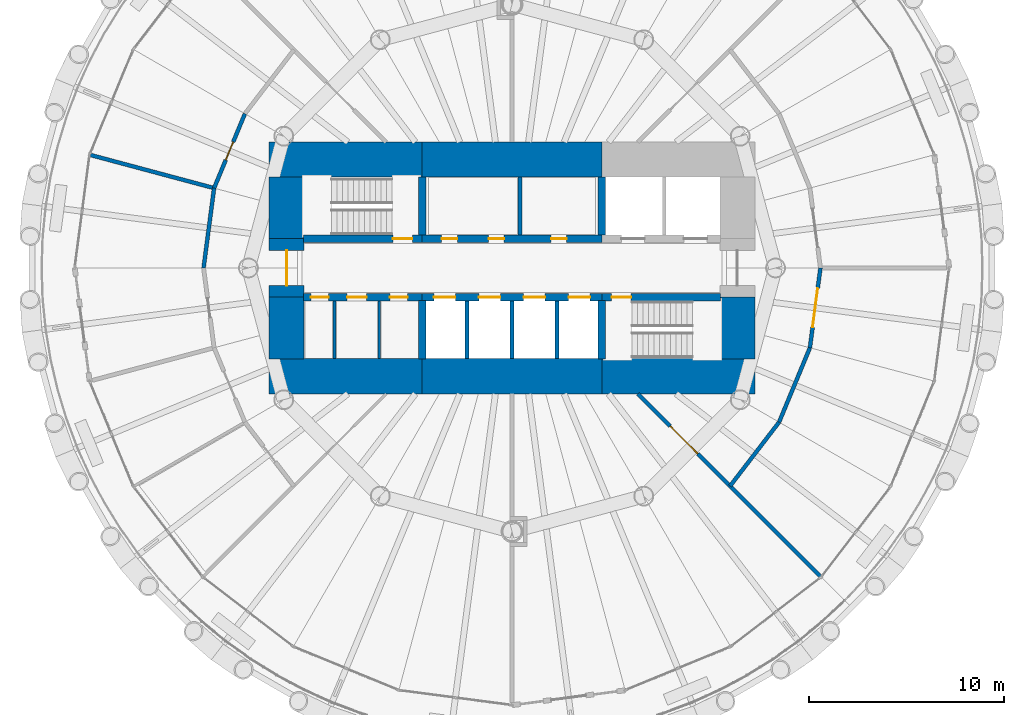
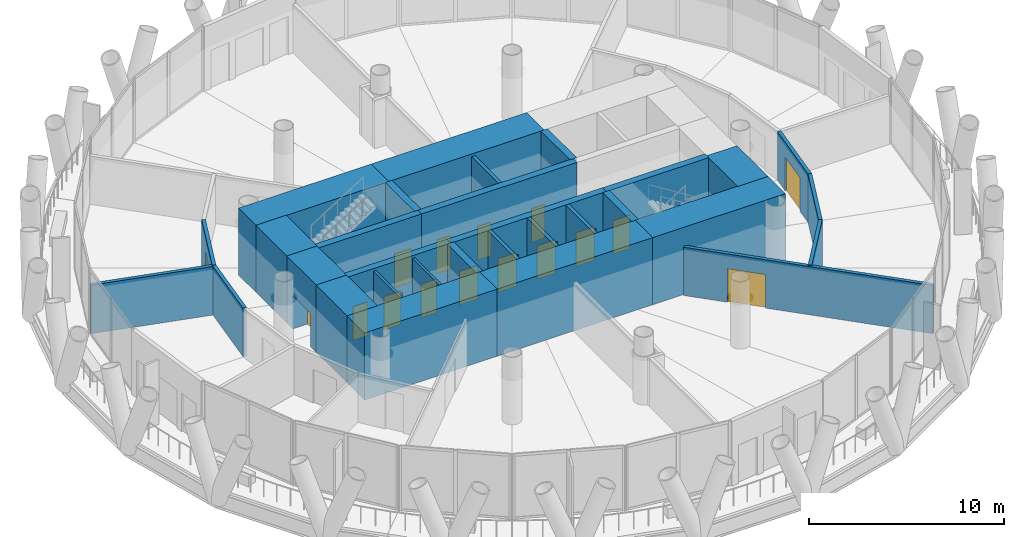
# One storey, part 9 of 14: 31 walls, 16 doors, 16 openings.
"""IFC4 building model written with IfcOpenShell, lengths in metres."""

from ifc_helpers import new_model, si_unit, direction, frame, frame_2d, origin, place, context, subcontext, project, spatial, rectangle, extrude, material, layer, layer_set, type_object, element, fill, save


model = new_model("IFC4")

# Units and contexts
model_context = context("Model", 3, precision=1e-05, world=origin(), true_north=direction((0.0, 1.0)))
body_context = subcontext(model_context, "Body", "Model", "MODEL_VIEW")
ifc_project = project(units=[si_unit("LENGTHUNIT", "METRE"), si_unit("AREAUNIT", "SQUARE_METRE"), si_unit("VOLUMEUNIT", "CUBIC_METRE"), si_unit("PLANEANGLEUNIT", "RADIAN"), si_unit("MASSUNIT", "GRAM", prefix="KILO")], contexts=[model_context])

# Site, building, storey
site_placement = place(None, origin())
site = spatial("IfcSite", under=ifc_project, at=site_placement, CompositionType="ELEMENT")
building_placement = place(site_placement, origin())
building = spatial("IfcBuilding", under=site, at=building_placement, Name="Qaws Media Tower", CompositionType="ELEMENT")
storey_placement = place(building_placement, frame((0.0, 0.0, 152.0)))
storey = spatial("IfcBuildingStorey", under=building, at=storey_placement, Name="L34", CompositionType="ELEMENT", Elevation=152.0)

# Wall, opening, door
ifc_material_1 = material(Name="Concrete C60/75", Category="concrete")
ifc_layer_1 = layer(ifc_material_1, 0.39990234375)
ifc_layer_set_1 = layer_set([ifc_layer_1], Name="Core inner wall 400")
wall_type_1 = type_object("IfcWallType", Name="Core inner wall 400", PredefinedType="SHEAR", material=ifc_layer_set_1)
wall_1_placement = place(storey_placement, frame((49.330078125, 51.5, 0.0), z_axis=(0.0, 0.0, 1.0), x_axis=(1.0, 0.0, 0.0)))
wall_1 = element("IfcWall", 1, at=wall_1_placement, inside=storey, type_object=wall_type_1, Name="W321 SW4 core wall SPNW L34", PredefinedType="SHEAR", context=body_context, shape_type="SweptSolid", body=[
    extrude(rectangle(XDim=6.06982421875, YDim=0.39990234375, at=frame_2d((3.034912109375, 0.0))), origin(), (0.0, 0.0, 1.0), 4.199951171875),
])
opening_1_placement = place(wall_1_placement, frame((4.570068359375, 0.0, 0.0)))
opening_1 = element("IfcOpeningElement", 2, at=opening_1_placement, cuts=wall_1, Name="Opening D1", PredefinedType="OPENING", context=body_context, shape_type="SweptSolid", body=[
    extrude(rectangle(XDim=1.0, YDim=2.10009765625, at=frame_2d((0.5, 1.050048828125))), frame((0.0, 0.2099609375, 0.0), z_axis=(0.0, -1.0, 0.0), x_axis=(1.0, 0.0, 0.0)), (0.0, 0.0, 1.0), 0.419921875),
])
ifc_material_2 = material(Name="Steel, fire rated", Category="steel")
door_type_1 = type_object("IfcDoorType", Name="Stair door 1000 FD120", OperationType="SINGLE_SWING_LEFT", PredefinedType="DOOR", material=ifc_material_2)
door_1_placement = place(opening_1_placement, origin())
door_1 = element("IfcDoor", 3, at=door_1_placement, inside=storey, type_object=door_type_1, Name="D1 stair S1 door L34 in wall W321", OperationType="SINGLE_SWING_LEFT", OverallHeight=2.10009765625, OverallWidth=1.0, PredefinedType="DOOR", context=body_context, shape_type="SweptSolid", body=[
    extrude(rectangle(XDim=1.0, YDim=2.10009765625, at=frame_2d((0.5, 1.050048828125))), frame((0.0, 0.02490234375, 0.0), z_axis=(0.0, -1.0, 0.0), x_axis=(1.0, 0.0, 0.0)), (0.0, 0.0, 1.0), 0.050048828125),
])
fill(opening_1, door_1)

# Wall, openings, doors
wall_2_placement = place(storey_placement, frame((55.39990234375, 51.5, 0.0), z_axis=(0.0, 0.0, 1.0), x_axis=(1.0, 0.0, 0.0)))
wall_2 = element("IfcWall", 4, at=wall_2_placement, inside=storey, type_object=wall_type_1, Name="W314 SW4 core wall SPN L34", PredefinedType="SHEAR", context=body_context, shape_type="SweptSolid", body=[
    extrude(rectangle(XDim=9.2001953125, YDim=0.39990234375, at=frame_2d((4.60009765625, 0.0))), origin(), (0.0, 0.0, 1.0), 4.199951171875),
])
opening_2_placement = place(wall_2_placement, frame((1.0, 0.0, 0.0)))
opening_2 = element("IfcOpeningElement", 5, at=opening_2_placement, cuts=wall_2, Name="Opening D23", PredefinedType="OPENING", context=body_context, shape_type="SweptSolid", body=[
    extrude(rectangle(XDim=0.800048828125, YDim=2.10009765625, at=frame_2d((0.39990234375, 1.050048828125))), frame((0.0, 0.2099609375, 0.0), z_axis=(0.0, -1.0, 0.0), x_axis=(1.0, 0.0, 0.0)), (0.0, 0.0, 1.0), 0.419921875),
])
opening_3_placement = place(wall_2_placement, frame((3.39990234375, 0.0, 0.0)))
opening_3 = element("IfcOpeningElement", 6, at=opening_3_placement, cuts=wall_2, Name="Opening D23", PredefinedType="OPENING", context=body_context, shape_type="SweptSolid", body=[
    extrude(rectangle(XDim=0.800048828125, YDim=2.10009765625, at=frame_2d((0.39990234375, 1.050048828125))), frame((0.0, 0.2099609375, 0.0), z_axis=(0.0, -1.0, 0.0), x_axis=(1.0, 0.0, 0.0)), (0.0, 0.0, 1.0), 0.419921875),
])
opening_4_placement = place(wall_2_placement, frame((6.60009765625, 0.0, 0.0)))
opening_4 = element("IfcOpeningElement", 7, at=opening_4_placement, cuts=wall_2, Name="Opening D23", PredefinedType="OPENING", context=body_context, shape_type="SweptSolid", body=[
    extrude(rectangle(XDim=0.800048828125, YDim=2.10009765625, at=frame_2d((0.39990234375, 1.050048828125))), frame((0.0, 0.2099609375, 0.0), z_axis=(0.0, -1.0, 0.0), x_axis=(1.0, 0.0, 0.0)), (0.0, 0.0, 1.0), 0.419921875),
])
ifc_material_3 = material(Name="Steel, fire rated", Category="steel")
door_type_2 = type_object("IfcDoorType", Name="Core room door 800x2100", OperationType="SINGLE_SWING_LEFT", PredefinedType="DOOR", material=ifc_material_3)
door_2_placement = place(opening_2_placement, origin())
door_2 = element("IfcDoor", 8, at=door_2_placement, inside=storey, type_object=door_type_2, Name="D23 Ladies toilets door L34 1 in wall W314", OperationType="SINGLE_SWING_LEFT", OverallHeight=2.10009765625, OverallWidth=0.800048828125, PredefinedType="DOOR", context=body_context, shape_type="SweptSolid", body=[
    extrude(rectangle(XDim=0.800048828125, YDim=2.10009765625, at=frame_2d((0.39990234375, 1.050048828125))), frame((0.0, 0.02490234375, 0.0), z_axis=(0.0, -1.0, 0.0), x_axis=(1.0, 0.0, 0.0)), (0.0, 0.0, 1.0), 0.050048828125),
])
fill(opening_2, door_2)
door_3_placement = place(opening_3_placement, origin())
door_3 = element("IfcDoor", 9, at=door_3_placement, inside=storey, type_object=door_type_2, Name="D23 Ladies toilets door L34 2 in wall W314", OperationType="SINGLE_SWING_LEFT", OverallHeight=2.10009765625, OverallWidth=0.800048828125, PredefinedType="DOOR", context=body_context, shape_type="SweptSolid", body=[
    extrude(rectangle(XDim=0.800048828125, YDim=2.10009765625, at=frame_2d((0.39990234375, 1.050048828125))), frame((0.0, 0.02490234375, 0.0), z_axis=(0.0, -1.0, 0.0), x_axis=(1.0, 0.0, 0.0)), (0.0, 0.0, 1.0), 0.050048828125),
])
fill(opening_3, door_3)
door_4_placement = place(opening_4_placement, origin())
door_4 = element("IfcDoor", 10, at=door_4_placement, inside=storey, type_object=door_type_2, Name="D23 Gents toilets door L34 in wall W314", OperationType="SINGLE_SWING_LEFT", OverallHeight=2.10009765625, OverallWidth=0.800048828125, PredefinedType="DOOR", context=body_context, shape_type="SweptSolid", body=[
    extrude(rectangle(XDim=0.800048828125, YDim=2.10009765625, at=frame_2d((0.39990234375, 1.050048828125))), frame((0.0, 0.02490234375, 0.0), z_axis=(0.0, -1.0, 0.0), x_axis=(1.0, 0.0, 0.0)), (0.0, 0.0, 1.0), 0.050048828125),
])
fill(opening_4, door_4)

wall_3_placement = place(storey_placement, frame((49.330078125, 48.5, 0.0), z_axis=(0.0, 0.0, 1.0), x_axis=(1.0, 0.0, 0.0)))
wall_3 = element("IfcWall", 11, at=wall_3_placement, inside=storey, type_object=wall_type_1, Name="W320 SW4 core wall SPSW L34", PredefinedType="SHEAR", context=body_context, shape_type="SweptSolid", body=[
    extrude(rectangle(XDim=6.06982421875, YDim=0.39990234375, at=frame_2d((3.034912109375, 0.0))), origin(), (0.0, 0.0, 1.0), 4.199951171875),
])
opening_5_placement = place(wall_3_placement, frame((0.3701171875, 0.0, 0.0)))
opening_5 = element("IfcOpeningElement", 12, at=opening_5_placement, cuts=wall_3, Name="Opening D25", PredefinedType="OPENING", context=body_context, shape_type="SweptSolid", body=[
    extrude(rectangle(XDim=0.89990234375, YDim=2.10009765625, at=frame_2d((0.449951171875, 1.050048828125))), frame((0.0, 0.2099609375, 0.0), z_axis=(0.0, -1.0, 0.0), x_axis=(1.0, 0.0, 0.0)), (0.0, 0.0, 1.0), 0.419921875),
])
opening_6_placement = place(wall_3_placement, frame((2.219970703125, 0.0, 0.0)))
opening_6 = element("IfcOpeningElement", 13, at=opening_6_placement, cuts=wall_3, Name="Opening D4", PredefinedType="OPENING", context=body_context, shape_type="SweptSolid", body=[
    extrude(rectangle(XDim=1.0, YDim=2.10009765625, at=frame_2d((0.5, 1.050048828125))), frame((0.0, 0.2099609375, 0.0), z_axis=(0.0, -1.0, 0.0), x_axis=(1.0, 0.0, 0.0)), (0.0, 0.0, 1.0), 0.419921875),
])
opening_7_placement = place(wall_3_placement, frame((4.419921875, 0.0, 0.0)))
opening_7 = element("IfcOpeningElement", 14, at=opening_7_placement, cuts=wall_3, Name="Opening D25", PredefinedType="OPENING", context=body_context, shape_type="SweptSolid", body=[
    extrude(rectangle(XDim=0.89990234375, YDim=2.10009765625, at=frame_2d((0.449951171875, 1.050048828125))), frame((0.0, 0.2099609375, 0.0), z_axis=(0.0, -1.0, 0.0), x_axis=(1.0, 0.0, 0.0)), (0.0, 0.0, 1.0), 0.419921875),
])
ifc_material_4 = material(Name="Timber veneered", Category="wood")
door_type_3 = type_object("IfcDoorType", Name="Accessible WC door 1000", OperationType="SLIDING_TO_LEFT", PredefinedType="DOOR", material=ifc_material_4)
door_5_placement = place(opening_6_placement, origin())
door_5 = element("IfcDoor", 15, at=door_5_placement, inside=storey, type_object=door_type_3, Name="D4 toilet door 2 L34 in wall W320", OperationType="SLIDING_TO_LEFT", OverallHeight=2.10009765625, OverallWidth=1.0, PredefinedType="DOOR", context=body_context, shape_type="SweptSolid", body=[
    extrude(rectangle(XDim=1.0, YDim=2.10009765625, at=frame_2d((0.5, 1.050048828125))), frame((0.0, 0.02490234375, 0.0), z_axis=(0.0, -1.0, 0.0), x_axis=(1.0, 0.0, 0.0)), (0.0, 0.0, 1.0), 0.050048828125),
])
fill(opening_6, door_5)
ifc_material_5 = material(Name="Steel, fire rated", Category="steel")
door_type_4 = type_object("IfcDoorType", Name="Core service door 900", OperationType="SINGLE_SWING_RIGHT", PredefinedType="DOOR", material=ifc_material_5)
door_6_placement = place(opening_5_placement, origin())
door_6 = element("IfcDoor", 16, at=door_6_placement, inside=storey, type_object=door_type_4, Name="D25 toilet door 1 L34 in wall W320", OperationType="SINGLE_SWING_RIGHT", OverallHeight=2.10009765625, OverallWidth=0.89990234375, PredefinedType="DOOR", context=body_context, shape_type="SweptSolid", body=[
    extrude(rectangle(XDim=0.89990234375, YDim=2.10009765625, at=frame_2d((0.449951171875, 1.050048828125))), frame((0.0, 0.02490234375, 0.0), z_axis=(0.0, -1.0, 0.0), x_axis=(1.0, 0.0, 0.0)), (0.0, 0.0, 1.0), 0.050048828125),
])
fill(opening_5, door_6)
door_7_placement = place(opening_7_placement, origin())
door_7 = element("IfcDoor", 17, at=door_7_placement, inside=storey, type_object=door_type_4, Name="D25 toilet door 3 L34 in wall W320", OperationType="SINGLE_SWING_RIGHT", OverallHeight=2.10009765625, OverallWidth=0.89990234375, PredefinedType="DOOR", context=body_context, shape_type="SweptSolid", body=[
    extrude(rectangle(XDim=0.89990234375, YDim=2.10009765625, at=frame_2d((0.449951171875, 1.050048828125))), frame((0.0, 0.02490234375, 0.0), z_axis=(0.0, -1.0, 0.0), x_axis=(1.0, 0.0, 0.0)), (0.0, 0.0, 1.0), 0.050048828125),
])
fill(opening_7, door_7)

wall_4_placement = place(storey_placement, frame((55.39990234375, 48.5, 0.0), z_axis=(0.0, 0.0, 1.0), x_axis=(1.0, 0.0, 0.0)))
wall_4 = element("IfcWall", 18, at=wall_4_placement, inside=storey, type_object=wall_type_1, Name="W313 SW4 core wall SPS L34", PredefinedType="SHEAR", context=body_context, shape_type="SweptSolid", body=[
    extrude(rectangle(XDim=9.2001953125, YDim=0.39990234375, at=frame_2d((4.60009765625, 0.0))), origin(), (0.0, 0.0, 1.0), 4.199951171875),
])
opening_8_placement = place(wall_4_placement, frame((0.60009765625, 0.0, 0.0)))
opening_8 = element("IfcOpeningElement", 19, at=opening_8_placement, cuts=wall_4, Name="Opening LD", PredefinedType="OPENING", context=body_context, shape_type="SweptSolid", body=[
    extrude(rectangle(XDim=1.10009765625, YDim=2.10009765625, at=frame_2d((0.550048828125, 1.050048828125))), frame((0.0, 0.2099609375, 0.0), z_axis=(0.0, -1.0, 0.0), x_axis=(1.0, 0.0, 0.0)), (0.0, 0.0, 1.0), 0.419921875),
])
opening_9_placement = place(wall_4_placement, frame((2.89990234375, 0.0, 0.0)))
opening_9 = element("IfcOpeningElement", 20, at=opening_9_placement, cuts=wall_4, Name="Opening LD", PredefinedType="OPENING", context=body_context, shape_type="SweptSolid", body=[
    extrude(rectangle(XDim=1.10009765625, YDim=2.10009765625, at=frame_2d((0.550048828125, 1.050048828125))), frame((0.0, 0.2099609375, 0.0), z_axis=(0.0, -1.0, 0.0), x_axis=(1.0, 0.0, 0.0)), (0.0, 0.0, 1.0), 0.419921875),
])
opening_10_placement = place(wall_4_placement, frame((5.199951171875, 0.0, 0.0)))
opening_10 = element("IfcOpeningElement", 21, at=opening_10_placement, cuts=wall_4, Name="Opening LD", PredefinedType="OPENING", context=body_context, shape_type="SweptSolid", body=[
    extrude(rectangle(XDim=1.10009765625, YDim=2.10009765625, at=frame_2d((0.550048828125, 1.050048828125))), frame((0.0, 0.2099609375, 0.0), z_axis=(0.0, -1.0, 0.0), x_axis=(1.0, 0.0, 0.0)), (0.0, 0.0, 1.0), 0.419921875),
])
opening_11_placement = place(wall_4_placement, frame((7.5, 0.0, 0.0)))
opening_11 = element("IfcOpeningElement", 22, at=opening_11_placement, cuts=wall_4, Name="Opening LD", PredefinedType="OPENING", context=body_context, shape_type="SweptSolid", body=[
    extrude(rectangle(XDim=1.10009765625, YDim=2.10009765625, at=frame_2d((0.550048828125, 1.050048828125))), frame((0.0, 0.2099609375, 0.0), z_axis=(0.0, -1.0, 0.0), x_axis=(1.0, 0.0, 0.0)), (0.0, 0.0, 1.0), 0.419921875),
])
ifc_material_6 = material(Name="Steel, fire rated", Category="steel")
door_type_5 = type_object("IfcDoorType", Name="Lift landing door 1100", OperationType="SLIDING_TO_LEFT", PredefinedType="DOOR", material=ifc_material_6)
door_8_placement = place(opening_8_placement, origin())
door_8 = element("IfcDoor", 23, at=door_8_placement, inside=storey, type_object=door_type_5, Name="P5 landing door L34 in wall W313", OperationType="SLIDING_TO_LEFT", OverallHeight=2.10009765625, OverallWidth=1.10009765625, PredefinedType="DOOR", context=body_context, shape_type="SweptSolid", body=[
    extrude(rectangle(XDim=1.10009765625, YDim=2.10009765625, at=frame_2d((0.550048828125, 1.050048828125))), frame((0.0, 0.02490234375, 0.0), z_axis=(0.0, -1.0, 0.0), x_axis=(1.0, 0.0, 0.0)), (0.0, 0.0, 1.0), 0.050048828125),
])
fill(opening_8, door_8)
door_9_placement = place(opening_9_placement, origin())
door_9 = element("IfcDoor", 24, at=door_9_placement, inside=storey, type_object=door_type_5, Name="P6 landing door L34 in wall W313", OperationType="SLIDING_TO_LEFT", OverallHeight=2.10009765625, OverallWidth=1.10009765625, PredefinedType="DOOR", context=body_context, shape_type="SweptSolid", body=[
    extrude(rectangle(XDim=1.10009765625, YDim=2.10009765625, at=frame_2d((0.550048828125, 1.050048828125))), frame((0.0, 0.02490234375, 0.0), z_axis=(0.0, -1.0, 0.0), x_axis=(1.0, 0.0, 0.0)), (0.0, 0.0, 1.0), 0.050048828125),
])
fill(opening_9, door_9)
door_10_placement = place(opening_10_placement, origin())
door_10 = element("IfcDoor", 25, at=door_10_placement, inside=storey, type_object=door_type_5, Name="P7 landing door L34 in wall W313", OperationType="SLIDING_TO_LEFT", OverallHeight=2.10009765625, OverallWidth=1.10009765625, PredefinedType="DOOR", context=body_context, shape_type="SweptSolid", body=[
    extrude(rectangle(XDim=1.10009765625, YDim=2.10009765625, at=frame_2d((0.550048828125, 1.050048828125))), frame((0.0, 0.02490234375, 0.0), z_axis=(0.0, -1.0, 0.0), x_axis=(1.0, 0.0, 0.0)), (0.0, 0.0, 1.0), 0.050048828125),
])
fill(opening_10, door_10)
door_11_placement = place(opening_11_placement, origin())
door_11 = element("IfcDoor", 26, at=door_11_placement, inside=storey, type_object=door_type_5, Name="P8 landing door L34 in wall W313", OperationType="SLIDING_TO_LEFT", OverallHeight=2.10009765625, OverallWidth=1.10009765625, PredefinedType="DOOR", context=body_context, shape_type="SweptSolid", body=[
    extrude(rectangle(XDim=1.10009765625, YDim=2.10009765625, at=frame_2d((0.550048828125, 1.050048828125))), frame((0.0, 0.02490234375, 0.0), z_axis=(0.0, -1.0, 0.0), x_axis=(1.0, 0.0, 0.0)), (0.0, 0.0, 1.0), 0.050048828125),
])
fill(opening_11, door_11)

# Wall, opening, door
wall_5_placement = place(storey_placement, frame((64.60009765625, 48.5, 0.0), z_axis=(0.0, 0.0, 1.0), x_axis=(1.0, 0.0, 0.0)))
wall_5 = element("IfcWall", 27, at=wall_5_placement, inside=storey, type_object=wall_type_1, Name="W325 SW4 core wall SPSE L34", PredefinedType="SHEAR", context=body_context, shape_type="SweptSolid", body=[
    extrude(rectangle(XDim=6.06982421875, YDim=0.39990234375, at=frame_2d((3.034912109375, 0.0))), origin(), (0.0, 0.0, 1.0), 4.199951171875),
])
opening_12_placement = place(wall_5_placement, frame((0.5, 0.0, 0.0)))
opening_12 = element("IfcOpeningElement", 28, at=opening_12_placement, cuts=wall_5, Name="Opening D1", PredefinedType="OPENING", context=body_context, shape_type="SweptSolid", body=[
    extrude(rectangle(XDim=1.0, YDim=2.10009765625, at=frame_2d((0.5, 1.050048828125))), frame((0.0, 0.2099609375, 0.0), z_axis=(0.0, -1.0, 0.0), x_axis=(1.0, 0.0, 0.0)), (0.0, 0.0, 1.0), 0.419921875),
])
door_12_placement = place(opening_12_placement, origin())
door_12 = element("IfcDoor", 29, at=door_12_placement, inside=storey, type_object=door_type_1, Name="D1 stair S2 door L34 in wall W325", OperationType="SINGLE_SWING_LEFT", OverallHeight=2.10009765625, OverallWidth=1.0, PredefinedType="DOOR", context=body_context, shape_type="SweptSolid", body=[
    extrude(rectangle(XDim=1.0, YDim=2.10009765625, at=frame_2d((0.5, 1.050048828125))), frame((0.0, 0.02490234375, 0.0), z_axis=(0.0, -1.0, 0.0), x_axis=(1.0, 0.0, 0.0)), (0.0, 0.0, 1.0), 0.050048828125),
])
fill(opening_12, door_12)

# Walls
for number, where, z_axis, x_axis, name in (
    (30, (55.39990234375, 51.679931640625, 0.0), (0.0, 0.0, 1.0), (0.0, 1.0, 0.0), "W323 SW4 core wall XNW L34"),
    (31, (64.60009765625, 51.679931640625, 0.0), (0.0, 0.0, 1.0), (0.0, 1.0, 0.0), "W327 SW4 core wall XNE L34"),
    (32, (55.39990234375, 48.320068359375, 0.0), (0.0, 0.0, 1.0), (0.0, -1.0, 0.0), "W322 SW4 core wall XSW L34"),
    (33, (64.60009765625, 48.320068359375, 0.0), (0.0, 0.0, 1.0), (0.0, -1.0, 0.0), "W324 SW4 core wall XSE L34"),
):
    element("IfcWall", number, at=place(storey_placement, frame(where, z_axis=z_axis, x_axis=x_axis)), inside=storey, type_object=wall_type_1, Name=name, PredefinedType="SHEAR", context=body_context, shape_type="SweptSolid", body=[
        extrude(rectangle(XDim=2.989990234375, YDim=0.39990234375, at=frame_2d((1.4951171875, 0.0))), origin(), (0.0, 0.0, 1.0), 4.199951171875),
    ])
ifc_material_7 = material(Name="Concrete C60/75", Category="concrete")
ifc_layer_2 = layer(ifc_material_7, 1.800048828125)
ifc_layer_set_2 = layer_set([ifc_layer_2], Name="Core wall 1800")
wall_type_2 = type_object("IfcWallType", Name="Core wall 1800", PredefinedType="SHEAR", material=ifc_layer_set_2)
wall_6_placement = place(storey_placement, frame((47.550048828125, 55.550048828125, 0.0), z_axis=(0.0, 0.0, 1.0), x_axis=(1.0, 0.0, 0.0)))
element("IfcWall", 34, at=wall_6_placement, inside=storey, type_object=wall_type_2, Name="W417 SW11 core wall NW L34", PredefinedType="SHEAR", context=body_context, shape_type="SweptSolid", body=[
    extrude(rectangle(XDim=7.849853515625, YDim=1.800048828125, at=frame_2d((3.9248046875, 0.0))), origin(), (0.0, 0.0, 1.0), 4.199951171875),
])
wall_7_placement = place(storey_placement, frame((55.39990234375, 55.550048828125, 0.0), z_axis=(0.0, 0.0, 1.0), x_axis=(1.0, 0.0, 0.0)))
element("IfcWall", 35, at=wall_7_placement, inside=storey, type_object=wall_type_2, Name="W421 SW11 core wall N L34", PredefinedType="SHEAR", context=body_context, shape_type="SweptSolid", body=[
    extrude(rectangle(XDim=9.2001953125, YDim=1.800048828125, at=frame_2d((4.60009765625, 0.0))), origin(), (0.0, 0.0, 1.0), 4.199951171875),
])
wall_8_placement = place(storey_placement, frame((47.550048828125, 44.449951171875, 0.0), z_axis=(0.0, 0.0, 1.0), x_axis=(1.0, 0.0, 0.0)))
element("IfcWall", 36, at=wall_8_placement, inside=storey, type_object=wall_type_2, Name="W416 SW11 core wall SW L34", PredefinedType="SHEAR", context=body_context, shape_type="SweptSolid", body=[
    extrude(rectangle(XDim=7.849853515625, YDim=1.800048828125, at=frame_2d((3.9248046875, 0.0))), origin(), (0.0, 0.0, 1.0), 4.199951171875),
])
wall_9_placement = place(storey_placement, frame((55.39990234375, 44.449951171875, 0.0), z_axis=(0.0, 0.0, 1.0), x_axis=(1.0, 0.0, 0.0)))
element("IfcWall", 37, at=wall_9_placement, inside=storey, type_object=wall_type_2, Name="W420 SW11 core wall S L34", PredefinedType="SHEAR", context=body_context, shape_type="SweptSolid", body=[
    extrude(rectangle(XDim=9.2001953125, YDim=1.800048828125, at=frame_2d((4.60009765625, 0.0))), origin(), (0.0, 0.0, 1.0), 4.199951171875),
])
wall_10_placement = place(storey_placement, frame((64.60009765625, 44.449951171875, 0.0), z_axis=(0.0, 0.0, 1.0), x_axis=(1.0, 0.0, 0.0)))
element("IfcWall", 38, at=wall_10_placement, inside=storey, type_object=wall_type_2, Name="W422 SW11 core wall SE L34", PredefinedType="SHEAR", context=body_context, shape_type="SweptSolid", body=[
    extrude(rectangle(XDim=7.849853515625, YDim=1.800048828125, at=frame_2d((3.9248046875, 0.0))), origin(), (0.0, 0.0, 1.0), 4.199951171875),
])
for number, where, z_axis, x_axis, name in (
    (39, (71.550048828125, 45.330078125, 0.0), (0.0, 0.0, 1.0), (0.0, 1.0, 0.0), "W424 SW11 core wall ES L34"),
    (40, (48.449951171875, 45.330078125, 0.0), (0.0, 0.0, 1.0), (0.0, 1.0, 0.0), "W418 SW11 core wall WS L34"),
):
    element("IfcWall", number, at=place(storey_placement, frame(where, z_axis=z_axis, x_axis=x_axis)), inside=storey, type_object=wall_type_2, Name=name, PredefinedType="SHEAR", context=body_context, shape_type="SweptSolid", body=[
        extrude(rectangle(XDim=3.169921875, YDim=1.800048828125, at=frame_2d((1.5849609375, 0.0))), origin(), (0.0, 0.0, 1.0), 4.199951171875),
    ])

# Wall, opening, door
wall_11_placement = place(storey_placement, frame((48.449951171875, 48.5, 0.0), z_axis=(0.0, 0.0, 1.0), x_axis=(0.0, 1.0, 0.0)))
wall_11 = element("IfcWall", 41, at=wall_11_placement, inside=storey, type_object=wall_type_2, Name="W426 SW11 core wall W L34", PredefinedType="SHEAR", context=body_context, shape_type="SweptSolid", body=[
    extrude(rectangle(XDim=3.0, YDim=1.800048828125, at=frame_2d((1.5, 0.0))), origin(), (0.0, 0.0, 1.0), 4.199951171875),
])
opening_13_placement = place(wall_11_placement, frame((0.60009765625, 0.0, 0.0)))
opening_13 = element("IfcOpeningElement", 42, at=opening_13_placement, cuts=wall_11, Name="Opening D2", PredefinedType="OPENING", context=body_context, shape_type="SweptSolid", body=[
    extrude(rectangle(XDim=1.800048828125, YDim=2.10009765625, at=frame_2d((0.89990234375, 1.050048828125))), frame((0.0, 0.909912109375, 0.0), z_axis=(0.0, -1.0, 0.0), x_axis=(1.0, 0.0, 0.0)), (0.0, 0.0, 1.0), 1.820068359375),
])
ifc_material_8 = material(Name="Steel and glass, fire rated", Category="steel")
door_type_6 = type_object("IfcDoorType", Name="Lobby door pair 1800 FD60", OperationType="DOUBLE_DOOR_DOUBLE_SWING", PredefinedType="DOOR", material=ifc_material_8)
door_13_placement = place(opening_13_placement, origin())
door_13 = element("IfcDoor", 43, at=door_13_placement, inside=storey, type_object=door_type_6, Name="D2 core lobby door W L34 in wall W426", OperationType="DOUBLE_DOOR_DOUBLE_SWING", OverallHeight=2.10009765625, OverallWidth=1.800048828125, PredefinedType="DOOR", context=body_context, shape_type="SweptSolid", body=[
    extrude(rectangle(XDim=1.800048828125, YDim=2.10009765625, at=frame_2d((0.89990234375, 1.050048828125))), frame((0.0, 0.02490234375, 0.0), z_axis=(0.0, -1.0, 0.0), x_axis=(1.0, 0.0, 0.0)), (0.0, 0.0, 1.0), 0.050048828125),
])
fill(opening_13, door_13)

# Walls
wall_12_placement = place(storey_placement, frame((48.449951171875, 51.5, 0.0), z_axis=(0.0, 0.0, 1.0), x_axis=(0.0, 1.0, 0.0)))
element("IfcWall", 44, at=wall_12_placement, inside=storey, type_object=wall_type_2, Name="W419 SW11 core wall WN L34", PredefinedType="SHEAR", context=body_context, shape_type="SweptSolid", body=[
    extrude(rectangle(XDim=3.169921875, YDim=1.800048828125, at=frame_2d((1.5849609375, 0.0))), origin(), (0.0, 0.0, 1.0), 4.199951171875),
])
ifc_material_9 = material(Name="Gypsum board on galvanised metal studs, acoustic double stud, deflection head", Category="gypsum")
ifc_layer_3 = layer(ifc_material_9, 0.199951171875)
ifc_layer_set_3 = layer_set([ifc_layer_3], Name="Room partition 200")
wall_type_3 = type_object("IfcWallType", Name="Room partition 200", PredefinedType="PARTITIONING", material=ifc_layer_set_3)
wall_13_placement = place(storey_placement, frame((44.199951171875, 50.0, 0.0), z_axis=(0.0, 0.0, 1.0), x_axis=(0.130515758099, 0.991446234996, 0.0)))
element("IfcWall", 45, at=wall_13_placement, inside=storey, type_object=wall_type_3, Name="W941 IW3 partition L34", PredefinedType="PARTITIONING", context=body_context, shape_type="SweptSolid", body=[
    extrude(rectangle(XDim=4.124755859375, YDim=0.199951171875, at=frame_2d((2.0625, 0.0))), origin(), (0.0, 0.0, 1.0), 3.0400390625),
])

# Wall, opening, door
wall_14_placement = place(storey_placement, frame((44.73828125, 54.08935546875, 0.0), z_axis=(0.0, 0.0, 1.0), x_axis=(0.382731667114, 0.923859551549, 0.0)))
wall_14 = element("IfcWall", 46, at=wall_14_placement, inside=storey, type_object=wall_type_3, Name="W944 IW3 partition L34", PredefinedType="PARTITIONING", context=body_context, shape_type="SweptSolid", body=[
    extrude(rectangle(XDim=4.12451171875, YDim=0.199951171875, at=frame_2d((2.062255859375, 0.0))), origin(), (0.0, 0.0, 1.0), 3.0400390625),
])
opening_14_placement = place(wall_14_placement, frame((1.562255859375, 0.0, 0.0)))
opening_14 = element("IfcOpeningElement", 47, at=opening_14_placement, cuts=wall_14, Name="Opening D5", PredefinedType="OPENING", context=body_context, shape_type="SweptSolid", body=[
    extrude(rectangle(XDim=1.0, YDim=2.10009765625, at=frame_2d((0.5, 1.050048828125))), frame((0.0, 0.10986328125, 0.0), z_axis=(0.0, -1.0, 0.0), x_axis=(1.0, 0.0, 0.0)), (0.0, 0.0, 1.0), 0.219970703125),
])
ifc_material_10 = material(Name="Timber veneered, acoustic seal", Category="wood")
door_type_7 = type_object("IfcDoorType", Name="Room door 1000", OperationType="SINGLE_SWING_LEFT", PredefinedType="DOOR", material=ifc_material_10)
door_14_placement = place(opening_14_placement, origin())
door_14 = element("IfcDoor", 48, at=door_14_placement, inside=storey, type_object=door_type_7, Name="D5 Help desk door L34 in wall W944", OperationType="SINGLE_SWING_LEFT", OverallHeight=2.10009765625, OverallWidth=1.0, PredefinedType="DOOR", context=body_context, shape_type="SweptSolid", body=[
    extrude(rectangle(XDim=1.0, YDim=2.10009765625, at=frame_2d((0.5, 1.050048828125))), frame((0.0, 0.02490234375, 0.0), z_axis=(0.0, -1.0, 0.0), x_axis=(1.0, 0.0, 0.0)), (0.0, 0.0, 1.0), 0.050048828125),
])
fill(opening_14, door_14)

wall_15_placement = place(storey_placement, frame((75.800048828125, 50.0, 0.0), z_axis=(0.0, 0.0, 1.0), x_axis=(-0.130515758099, -0.991446234996, 0.0)))
wall_15 = element("IfcWall", 49, at=wall_15_placement, inside=storey, type_object=wall_type_3, Name="W959 IW3 partition L34", PredefinedType="PARTITIONING", context=body_context, shape_type="SweptSolid", body=[
    extrude(rectangle(XDim=4.124755859375, YDim=0.199951171875, at=frame_2d((2.0625, 0.0))), origin(), (0.0, 0.0, 1.0), 3.0400390625),
])
opening_15_placement = place(wall_15_placement, frame((1.062255859375, 0.0, 0.0)))
opening_15 = element("IfcOpeningElement", 50, at=opening_15_placement, cuts=wall_15, Name="Opening D6", PredefinedType="OPENING", context=body_context, shape_type="SweptSolid", body=[
    extrude(rectangle(XDim=2.0, YDim=2.10009765625, at=frame_2d((1.0, 1.050048828125))), frame((0.0, 0.10986328125, 0.0), z_axis=(0.0, -1.0, 0.0), x_axis=(1.0, 0.0, 0.0)), (0.0, 0.0, 1.0), 0.219970703125),
])
ifc_material_11 = material(Name="Steel, acoustic, fire rated", Category="steel")
door_type_8 = type_object("IfcDoorType", Name="Room door pair 2000", OperationType="DOUBLE_DOOR_DOUBLE_SWING", PredefinedType="DOOR", material=ifc_material_11)
door_15_placement = place(opening_15_placement, origin())
door_15 = element("IfcDoor", 51, at=door_15_placement, inside=storey, type_object=door_type_8, Name="D6 IT service office door L34 in wall W959", OperationType="DOUBLE_DOOR_DOUBLE_SWING", OverallHeight=2.10009765625, OverallWidth=2.0, PredefinedType="DOOR", context=body_context, shape_type="SweptSolid", body=[
    extrude(rectangle(XDim=2.0, YDim=2.10009765625, at=frame_2d((1.0, 1.050048828125))), frame((0.0, 0.02490234375, 0.0), z_axis=(0.0, -1.0, 0.0), x_axis=(1.0, 0.0, 0.0)), (0.0, 0.0, 1.0), 0.050048828125),
])
fill(opening_15, door_15)

# Walls
wall_16_placement = place(storey_placement, frame((75.26171875, 45.91064453125, 0.0), z_axis=(0.0, 0.0, 1.0), x_axis=(-0.382731667114, -0.923859551549, 0.0)))
element("IfcWall", 52, at=wall_16_placement, inside=storey, type_object=wall_type_3, Name="W957 IW3 partition L34", PredefinedType="PARTITIONING", context=body_context, shape_type="SweptSolid", body=[
    extrude(rectangle(XDim=4.12451171875, YDim=0.199951171875, at=frame_2d((2.062255859375, 0.0))), origin(), (0.0, 0.0, 1.0), 3.0400390625),
])
wall_17_placement = place(storey_placement, frame((73.68310546875, 42.10009765625, 0.0), z_axis=(0.0, 0.0, 1.0), x_axis=(-0.608714823874, -0.793389099494, 0.0)))
element("IfcWall", 53, at=wall_17_placement, inside=storey, type_object=wall_type_3, Name="W954 IW3 partition L34", PredefinedType="PARTITIONING", context=body_context, shape_type="SweptSolid", body=[
    extrude(rectangle(XDim=4.124755859375, YDim=0.199951171875, at=frame_2d((2.0625, 0.0))), origin(), (0.0, 0.0, 1.0), 3.0400390625),
])
wall_18_placement = place(storey_placement, frame((44.73828125, 54.08935546875, 0.0), z_axis=(0.0, 0.0, 1.0), x_axis=(-0.965929113775, 0.258806775726, 0.0)))
element("IfcWall", 54, at=wall_18_placement, inside=storey, type_object=wall_type_3, Name="W1327 IW3 partition L34", PredefinedType="PARTITIONING", context=body_context, shape_type="SweptSolid", body=[
    extrude(rectangle(XDim=6.559814453125, YDim=0.199951171875, at=frame_2d((3.27978515625, 0.0))), origin(), (0.0, 0.0, 1.0), 3.0400390625),
])

# Wall, opening, door
wall_19_placement = place(storey_placement, frame((66.449951171875, 43.550048828125, 0.0), z_axis=(0.0, 0.0, 1.0), x_axis=(0.707106781187, -0.707106781187, 0.0)))
wall_19 = element("IfcWall", 55, at=wall_19_placement, inside=storey, type_object=wall_type_3, Name="W1331 IW3 partition L34", PredefinedType="PARTITIONING", context=body_context, shape_type="SweptSolid", body=[
    extrude(rectangle(XDim=13.23828125, YDim=0.199951171875, at=frame_2d((6.619140625, 0.0))), origin(), (0.0, 0.0, 1.0), 3.02001953125),
])
opening_16_placement = place(wall_19_placement, frame((2.339111328125, 0.0, 0.0)))
opening_16 = element("IfcOpeningElement", 56, at=opening_16_placement, cuts=wall_19, Name="Opening D6", PredefinedType="OPENING", context=body_context, shape_type="SweptSolid", body=[
    extrude(rectangle(XDim=2.0, YDim=2.10009765625, at=frame_2d((1.0, 1.050048828125))), frame((0.0, 0.10986328125, 0.0), z_axis=(0.0, -1.0, 0.0), x_axis=(1.0, 0.0, 0.0)), (0.0, 0.0, 1.0), 0.219970703125),
])
door_16_placement = place(opening_16_placement, origin())
door_16 = element("IfcDoor", 57, at=door_16_placement, inside=storey, type_object=door_type_8, Name="D6 IT training room door L34 in wall W1331", OperationType="DOUBLE_DOOR_DOUBLE_SWING", OverallHeight=2.10009765625, OverallWidth=2.0, PredefinedType="DOOR", context=body_context, shape_type="SweptSolid", body=[
    extrude(rectangle(XDim=2.0, YDim=2.10009765625, at=frame_2d((1.0, 1.050048828125))), frame((0.0, 0.02490234375, 0.0), z_axis=(0.0, -1.0, 0.0), x_axis=(1.0, 0.0, 0.0)), (0.0, 0.0, 1.0), 0.050048828125),
])
fill(opening_16, door_16)

# Walls
wall_20_placement = place(storey_placement, frame((60.39990234375, 51.699951171875, 0.0), z_axis=(0.0, 0.0, 1.0), x_axis=(0.0, 1.0, 0.0)))
element("IfcWall", 58, at=wall_20_placement, inside=storey, type_object=wall_type_3, Name="W1322 IW3 core room partition 1 L34", PredefinedType="PARTITIONING", context=body_context, shape_type="SweptSolid", body=[
    extrude(rectangle(XDim=2.949951171875, YDim=0.199951171875, at=frame_2d((1.47509765625, 0.0))), origin(), (0.0, 0.0, 1.0), 4.0400390625),
])
ifc_material_12 = material(Name="Fire-rated gypsum board shaft wall on galvanised metal studs, deflection head", Category="gypsum")
ifc_layer_4 = layer(ifc_material_12, 0.199951171875)
ifc_layer_set_4 = layer_set([ifc_layer_4], Name="Shaft wall 200")
wall_type_4 = type_object("IfcWallType", Name="Shaft wall 200", PredefinedType="PARTITIONING", material=ifc_layer_set_4)
for number, where, z_axis, x_axis, name in (
    (59, (57.699951171875, 45.35009765625, 0.0), (0.0, 0.0, 1.0), (0.0, 1.0, 0.0), "W1860 IW1 shaft wall S1 L34"),
    (60, (60.0, 45.35009765625, 0.0), (0.0, 0.0, 1.0), (0.0, 1.0, 0.0), "W1861 IW1 shaft wall S2 L34"),
    (61, (62.300048828125, 45.35009765625, 0.0), (0.0, 0.0, 1.0), (0.0, 1.0, 0.0), "W1862 IW1 shaft wall S3 L34"),
):
    element("IfcWall", number, at=place(storey_placement, frame(where, z_axis=z_axis, x_axis=x_axis)), inside=storey, type_object=wall_type_4, Name=name, PredefinedType="PARTITIONING", context=body_context, shape_type="SweptSolid", body=[
        extrude(rectangle(XDim=2.949951171875, YDim=0.199951171875, at=frame_2d((1.47509765625, 0.0))), origin(), (0.0, 0.0, 1.0), 4.199951171875),
    ])
ifc_material_13 = material(Name="Gypsum board on galvanised metal studs, deflection head", Category="gypsum")
ifc_layer_5 = layer(ifc_material_13, 0.14990234375)
ifc_layer_set_5 = layer_set([ifc_layer_5], Name="WC partition 150")
wall_type_5 = type_object("IfcWallType", Name="WC partition 150", PredefinedType="PARTITIONING", material=ifc_layer_set_5)
for number, where, z_axis, x_axis, name in (
    (62, (50.89990234375, 45.35009765625, 0.0), (0.0, 0.0, 1.0), (0.0, 1.0, 0.0), "W1915 IW2 toilet partition 1 L34"),
    (63, (53.199951171875, 45.35009765625, 0.0), (0.0, 0.0, 1.0), (0.0, 1.0, 0.0), "W1913 IW2 toilet partition 2 L34"),
):
    element("IfcWall", number, at=place(storey_placement, frame(where, z_axis=z_axis, x_axis=x_axis)), inside=storey, type_object=wall_type_5, Name=name, PredefinedType="PARTITIONING", context=body_context, shape_type="SweptSolid", body=[
        extrude(rectangle(XDim=2.949951171875, YDim=0.14990234375, at=frame_2d((1.47509765625, 0.0))), origin(), (0.0, 0.0, 1.0), 4.0400390625),
    ])

save(model, "model.ifc")
